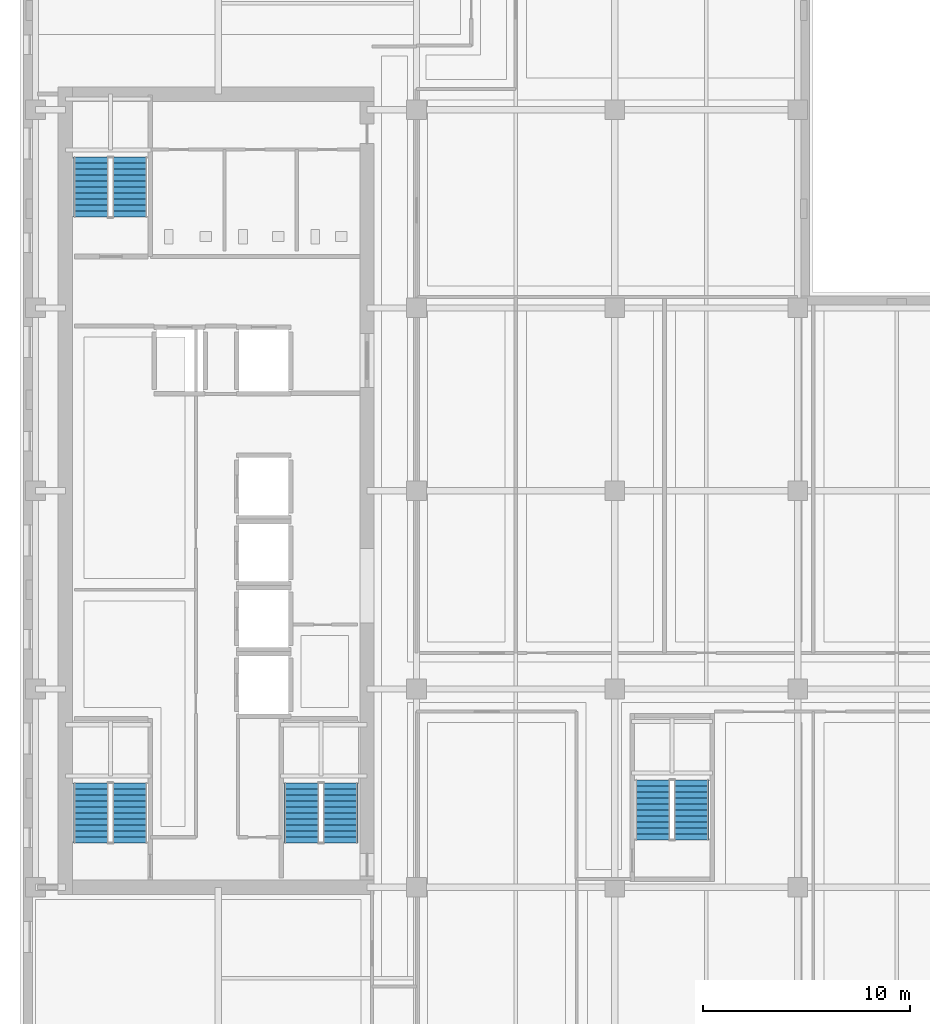
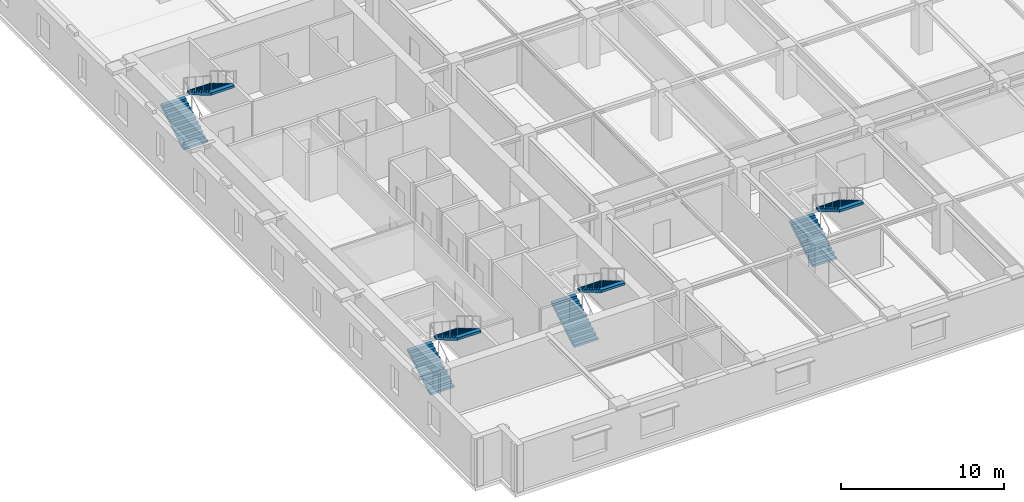
# One storey, part 8 of 13: 8 stair flights, 4 elements without a shape of their own.
"""IFC4 building model written with IfcOpenShell, lengths in metres."""

from ifc_helpers import new_model, si_unit, direction, frame, origin, place, context, subcontext, project, spatial, polyline, outline, extrude, material, type_object, element, aggregate, save


model = new_model("IFC4")

# Units and contexts
model_context = context("Model", 3, precision=1e-05, world=origin(), true_north=direction((0.0, 1.0)))
body_context = subcontext(model_context, "Body", "Model", "MODEL_VIEW")
ifc_project = project(units=[si_unit("LENGTHUNIT", "METRE"), si_unit("AREAUNIT", "SQUARE_METRE"), si_unit("VOLUMEUNIT", "CUBIC_METRE"), si_unit("PLANEANGLEUNIT", "RADIAN"), si_unit("MASSUNIT", "GRAM", prefix="KILO")], contexts=[model_context])

# Site, building, storey
site_placement = place(None, origin())
site = spatial("IfcSite", under=ifc_project, at=site_placement, CompositionType="ELEMENT")
building_placement = place(site_placement, origin())
building = spatial("IfcBuilding", under=site, at=building_placement, Name="Norrvale University Quadrangle", CompositionType="ELEMENT")
storey_placement = place(building_placement, frame((0.0, 0.0, 175.0)))
storey = spatial("IfcBuildingStorey", under=building, at=storey_placement, Name="L44", CompositionType="ELEMENT", Elevation=175.0)

# Stair, stair flights
ifc_material = material(Name="Concrete C40/50", Category="concrete")
stair_type = type_object("IfcStairType", Name="Stair Tower Typ 3800", PredefinedType="TWO_STRAIGHT_RUN_STAIR", material=ifc_material)
stair_1_placement = place(storey_placement, origin())
stair_1 = element("IfcStair", 1, at=stair_1_placement, inside=storey, type_object=stair_type, Name="Exit Stair ST-01 L44", PredefinedType="TWO_STRAIGHT_RUN_STAIR")
stair_flight_type = type_object("IfcStairFlightType", Name="Flight Typ 1500", PredefinedType="STRAIGHT", material=ifc_material)
stair_flight_1_placement = place(storey_placement, frame((3.429931640625, 11.75, 0.0), z_axis=(0.0, 0.0, 1.0), x_axis=(0.0, 1.0, 0.0)))
stair_flight_1 = element("IfcStairFlight", 2, at=stair_flight_1_placement, type_object=stair_flight_type, Name="Exit Stair ST-01 L44 Lower Flight", NumberOfRisers=11, NumberOfTreads=10, PredefinedType="STRAIGHT", RiserHeight=0.172727, TreadLength=0.29, context=body_context, shape_type="SweptSolid", body=[
    extrude(outline(polyline([(0.0, 0.0), (0.0, 0.172607421875), (0.2900390625, 0.172607421875), (0.2900390625, 0.345458984375), (0.580078125, 0.345458984375), (0.580078125, 0.51806640625), (0.8701171875, 0.51806640625), (0.8701171875, 0.69091796875), (1.159912109375, 0.69091796875), (1.159912109375, 0.863525390625), (1.449951171875, 0.863525390625), (1.449951171875, 1.036376953125), (1.739990234375, 1.036376953125), (1.739990234375, 1.208984375), (2.030029296875, 1.208984375), (2.030029296875, 1.3818359375), (2.320068359375, 1.3818359375), (2.320068359375, 1.554443359375), (2.610107421875, 1.554443359375), (2.610107421875, 1.727294921875), (2.89990234375, 1.727294921875), (2.89990234375, 1.89990234375), (2.89990234375, 1.552734375), (0.29296875, 0.0), (0.0, 0.0)])), frame((0.0, 0.83984375, 0.0), z_axis=(0.0, -1.0, 0.0), x_axis=(1.0, 0.0, 0.0)), (0.0, 0.0, 1.0), 1.679931640625),
])
stair_flight_2_placement = place(storey_placement, frame((5.320068359375, 14.64990234375, 1.89990234375), z_axis=(0.0, 0.0, 1.0), x_axis=(0.0, -1.0, 0.0)))
stair_flight_2 = element("IfcStairFlight", 3, at=stair_flight_2_placement, type_object=stair_flight_type, Name="Exit Stair ST-01 L44 Upper Flight", NumberOfRisers=11, NumberOfTreads=10, PredefinedType="STRAIGHT", RiserHeight=0.172727, TreadLength=0.29, context=body_context, shape_type="SweptSolid", body=[
    extrude(outline(polyline([(0.0, 0.0), (0.0, 0.172607421875), (0.2900390625, 0.172607421875), (0.2900390625, 0.345458984375), (0.580078125, 0.345458984375), (0.580078125, 0.51806640625), (0.8701171875, 0.51806640625), (0.8701171875, 0.69091796875), (1.159912109375, 0.69091796875), (1.159912109375, 0.863525390625), (1.449951171875, 0.863525390625), (1.449951171875, 1.036376953125), (1.739990234375, 1.036376953125), (1.739990234375, 1.208984375), (2.030029296875, 1.208984375), (2.030029296875, 1.3818359375), (2.320068359375, 1.3818359375), (2.320068359375, 1.554443359375), (2.610107421875, 1.554443359375), (2.610107421875, 1.727294921875), (2.89990234375, 1.727294921875), (2.89990234375, 1.89990234375), (2.89990234375, 1.552734375), (0.29296875, 0.0), (0.0, 0.0)])), frame((0.0, 0.83984375, 0.0), z_axis=(0.0, -1.0, 0.0), x_axis=(1.0, 0.0, 0.0)), (0.0, 0.0, 1.0), 1.679931640625),
])
aggregate(stair_1, [stair_flight_1, stair_flight_2])

stair_2_placement = place(storey_placement, origin())
stair_2 = element("IfcStair", 4, at=stair_2_placement, inside=storey, type_object=stair_type, Name="Exit Stair ST-02 L44", PredefinedType="TWO_STRAIGHT_RUN_STAIR")
stair_flight_3_placement = place(storey_placement, frame((3.429931640625, 42.050048828125, 0.0), z_axis=(0.0, 0.0, 1.0), x_axis=(0.0, 1.0, 0.0)))
stair_flight_3 = element("IfcStairFlight", 5, at=stair_flight_3_placement, type_object=stair_flight_type, Name="Exit Stair ST-02 L44 Lower Flight", NumberOfRisers=11, NumberOfTreads=10, PredefinedType="STRAIGHT", RiserHeight=0.172727, TreadLength=0.29, context=body_context, shape_type="SweptSolid", body=[
    extrude(outline(polyline([(0.0, 0.0), (0.0, 0.172607421875), (0.2900390625, 0.172607421875), (0.2900390625, 0.345458984375), (0.580078125, 0.345458984375), (0.580078125, 0.51806640625), (0.8701171875, 0.51806640625), (0.8701171875, 0.69091796875), (1.159912109375, 0.69091796875), (1.159912109375, 0.863525390625), (1.449951171875, 0.863525390625), (1.449951171875, 1.036376953125), (1.739990234375, 1.036376953125), (1.739990234375, 1.208984375), (2.030029296875, 1.208984375), (2.030029296875, 1.3818359375), (2.320068359375, 1.3818359375), (2.320068359375, 1.554443359375), (2.610107421875, 1.554443359375), (2.610107421875, 1.727294921875), (2.89990234375, 1.727294921875), (2.89990234375, 1.89990234375), (2.89990234375, 1.552734375), (0.29296875, 0.0), (0.0, 0.0)])), frame((0.0, 0.83984375, 0.0), z_axis=(0.0, -1.0, 0.0), x_axis=(1.0, 0.0, 0.0)), (0.0, 0.0, 1.0), 1.679931640625),
])
stair_flight_4_placement = place(storey_placement, frame((5.320068359375, 44.949951171875, 1.89990234375), z_axis=(0.0, 0.0, 1.0), x_axis=(0.0, -1.0, 0.0)))
stair_flight_4 = element("IfcStairFlight", 6, at=stair_flight_4_placement, type_object=stair_flight_type, Name="Exit Stair ST-02 L44 Upper Flight", NumberOfRisers=11, NumberOfTreads=10, PredefinedType="STRAIGHT", RiserHeight=0.172727, TreadLength=0.29, context=body_context, shape_type="SweptSolid", body=[
    extrude(outline(polyline([(0.0, 0.0), (0.0, 0.172607421875), (0.2900390625, 0.172607421875), (0.2900390625, 0.345458984375), (0.580078125, 0.345458984375), (0.580078125, 0.51806640625), (0.8701171875, 0.51806640625), (0.8701171875, 0.69091796875), (1.159912109375, 0.69091796875), (1.159912109375, 0.863525390625), (1.449951171875, 0.863525390625), (1.449951171875, 1.036376953125), (1.739990234375, 1.036376953125), (1.739990234375, 1.208984375), (2.030029296875, 1.208984375), (2.030029296875, 1.3818359375), (2.320068359375, 1.3818359375), (2.320068359375, 1.554443359375), (2.610107421875, 1.554443359375), (2.610107421875, 1.727294921875), (2.89990234375, 1.727294921875), (2.89990234375, 1.89990234375), (2.89990234375, 1.552734375), (0.29296875, 0.0), (0.0, 0.0)])), frame((0.0, 0.83984375, 0.0), z_axis=(0.0, -1.0, 0.0), x_axis=(1.0, 0.0, 0.0)), (0.0, 0.0, 1.0), 1.679931640625),
])
aggregate(stair_2, [stair_flight_3, stair_flight_4])

stair_3_placement = place(storey_placement, origin())
stair_3 = element("IfcStair", 7, at=stair_3_placement, inside=storey, type_object=stair_type, Name="Exit Stair ST-03 L44", PredefinedType="TWO_STRAIGHT_RUN_STAIR")
stair_flight_5_placement = place(storey_placement, frame((13.6298828125, 11.75, 0.0), z_axis=(0.0, 0.0, 1.0), x_axis=(0.0, 1.0, 0.0)))
stair_flight_5 = element("IfcStairFlight", 8, at=stair_flight_5_placement, type_object=stair_flight_type, Name="Exit Stair ST-03 L44 Lower Flight", NumberOfRisers=11, NumberOfTreads=10, PredefinedType="STRAIGHT", RiserHeight=0.172727, TreadLength=0.29, context=body_context, shape_type="SweptSolid", body=[
    extrude(outline(polyline([(0.0, 0.0), (0.0, 0.172607421875), (0.2900390625, 0.172607421875), (0.2900390625, 0.345458984375), (0.580078125, 0.345458984375), (0.580078125, 0.51806640625), (0.8701171875, 0.51806640625), (0.8701171875, 0.69091796875), (1.159912109375, 0.69091796875), (1.159912109375, 0.863525390625), (1.449951171875, 0.863525390625), (1.449951171875, 1.036376953125), (1.739990234375, 1.036376953125), (1.739990234375, 1.208984375), (2.030029296875, 1.208984375), (2.030029296875, 1.3818359375), (2.320068359375, 1.3818359375), (2.320068359375, 1.554443359375), (2.610107421875, 1.554443359375), (2.610107421875, 1.727294921875), (2.89990234375, 1.727294921875), (2.89990234375, 1.89990234375), (2.89990234375, 1.552734375), (0.29296875, 0.0), (0.0, 0.0)])), frame((0.0, 0.83984375, 0.0), z_axis=(0.0, -1.0, 0.0), x_axis=(1.0, 0.0, 0.0)), (0.0, 0.0, 1.0), 1.679931640625),
])
stair_flight_6_placement = place(storey_placement, frame((15.52001953125, 14.64990234375, 1.89990234375), z_axis=(0.0, 0.0, 1.0), x_axis=(0.0, -1.0, 0.0)))
stair_flight_6 = element("IfcStairFlight", 9, at=stair_flight_6_placement, type_object=stair_flight_type, Name="Exit Stair ST-03 L44 Upper Flight", NumberOfRisers=11, NumberOfTreads=10, PredefinedType="STRAIGHT", RiserHeight=0.172727, TreadLength=0.29, context=body_context, shape_type="SweptSolid", body=[
    extrude(outline(polyline([(0.0, 0.0), (0.0, 0.172607421875), (0.2900390625, 0.172607421875), (0.2900390625, 0.345458984375), (0.580078125, 0.345458984375), (0.580078125, 0.51806640625), (0.8701171875, 0.51806640625), (0.8701171875, 0.69091796875), (1.159912109375, 0.69091796875), (1.159912109375, 0.863525390625), (1.449951171875, 0.863525390625), (1.449951171875, 1.036376953125), (1.739990234375, 1.036376953125), (1.739990234375, 1.208984375), (2.030029296875, 1.208984375), (2.030029296875, 1.3818359375), (2.320068359375, 1.3818359375), (2.320068359375, 1.554443359375), (2.610107421875, 1.554443359375), (2.610107421875, 1.727294921875), (2.89990234375, 1.727294921875), (2.89990234375, 1.89990234375), (2.89990234375, 1.552734375), (0.29296875, 0.0), (0.0, 0.0)])), frame((0.0, 0.83984375, 0.0), z_axis=(0.0, -1.0, 0.0), x_axis=(1.0, 0.0, 0.0)), (0.0, 0.0, 1.0), 1.679931640625),
])
aggregate(stair_3, [stair_flight_5, stair_flight_6])

stair_4_placement = place(storey_placement, origin())
stair_4 = element("IfcStair", 10, at=stair_4_placement, inside=storey, type_object=stair_type, Name="Exit Stair ST-04 L44", PredefinedType="TWO_STRAIGHT_RUN_STAIR")
stair_flight_7_placement = place(storey_placement, frame((30.6298828125, 11.89990234375, 0.0), z_axis=(0.0, 0.0, 1.0), x_axis=(0.0, 1.0, 0.0)))
stair_flight_7 = element("IfcStairFlight", 11, at=stair_flight_7_placement, type_object=stair_flight_type, Name="Exit Stair ST-04 L44 Lower Flight", NumberOfRisers=11, NumberOfTreads=10, PredefinedType="STRAIGHT", RiserHeight=0.172727, TreadLength=0.29, context=body_context, shape_type="SweptSolid", body=[
    extrude(outline(polyline([(0.0, 0.0), (0.0, 0.172607421875), (0.2900390625, 0.172607421875), (0.2900390625, 0.345458984375), (0.580078125, 0.345458984375), (0.580078125, 0.51806640625), (0.8701171875, 0.51806640625), (0.8701171875, 0.69091796875), (1.159912109375, 0.69091796875), (1.159912109375, 0.863525390625), (1.449951171875, 0.863525390625), (1.449951171875, 1.036376953125), (1.739990234375, 1.036376953125), (1.739990234375, 1.208984375), (2.030029296875, 1.208984375), (2.030029296875, 1.3818359375), (2.320068359375, 1.3818359375), (2.320068359375, 1.554443359375), (2.610107421875, 1.554443359375), (2.610107421875, 1.727294921875), (2.89990234375, 1.727294921875), (2.89990234375, 1.89990234375), (2.89990234375, 1.552734375), (0.29296875, 0.0), (0.0, 0.0)])), frame((0.0, 0.83984375, 0.0), z_axis=(0.0, -1.0, 0.0), x_axis=(1.0, 0.0, 0.0)), (0.0, 0.0, 1.0), 1.679931640625),
])
stair_flight_8_placement = place(storey_placement, frame((32.52001953125, 14.800048828125, 1.89990234375), z_axis=(0.0, 0.0, 1.0), x_axis=(0.0, -1.0, 0.0)))
stair_flight_8 = element("IfcStairFlight", 12, at=stair_flight_8_placement, type_object=stair_flight_type, Name="Exit Stair ST-04 L44 Upper Flight", NumberOfRisers=11, NumberOfTreads=10, PredefinedType="STRAIGHT", RiserHeight=0.172727, TreadLength=0.29, context=body_context, shape_type="SweptSolid", body=[
    extrude(outline(polyline([(0.0, 0.0), (0.0, 0.172607421875), (0.2900390625, 0.172607421875), (0.2900390625, 0.345458984375), (0.580078125, 0.345458984375), (0.580078125, 0.51806640625), (0.8701171875, 0.51806640625), (0.8701171875, 0.69091796875), (1.159912109375, 0.69091796875), (1.159912109375, 0.863525390625), (1.449951171875, 0.863525390625), (1.449951171875, 1.036376953125), (1.739990234375, 1.036376953125), (1.739990234375, 1.208984375), (2.030029296875, 1.208984375), (2.030029296875, 1.3818359375), (2.320068359375, 1.3818359375), (2.320068359375, 1.554443359375), (2.610107421875, 1.554443359375), (2.610107421875, 1.727294921875), (2.89990234375, 1.727294921875), (2.89990234375, 1.89990234375), (2.89990234375, 1.552734375), (0.29296875, 0.0), (0.0, 0.0)])), frame((0.0, 0.83984375, 0.0), z_axis=(0.0, -1.0, 0.0), x_axis=(1.0, 0.0, 0.0)), (0.0, 0.0, 1.0), 1.679931640625),
])
aggregate(stair_4, [stair_flight_7, stair_flight_8])

save(model, "model.ifc")
